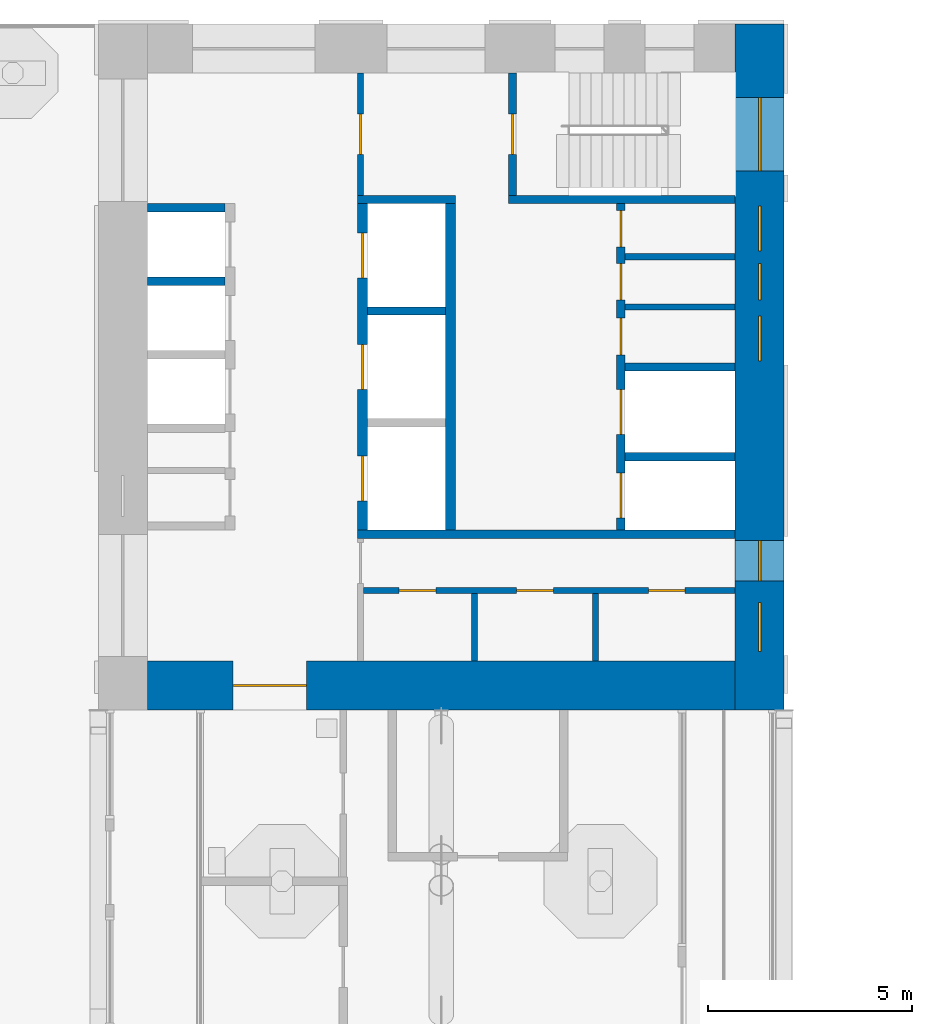
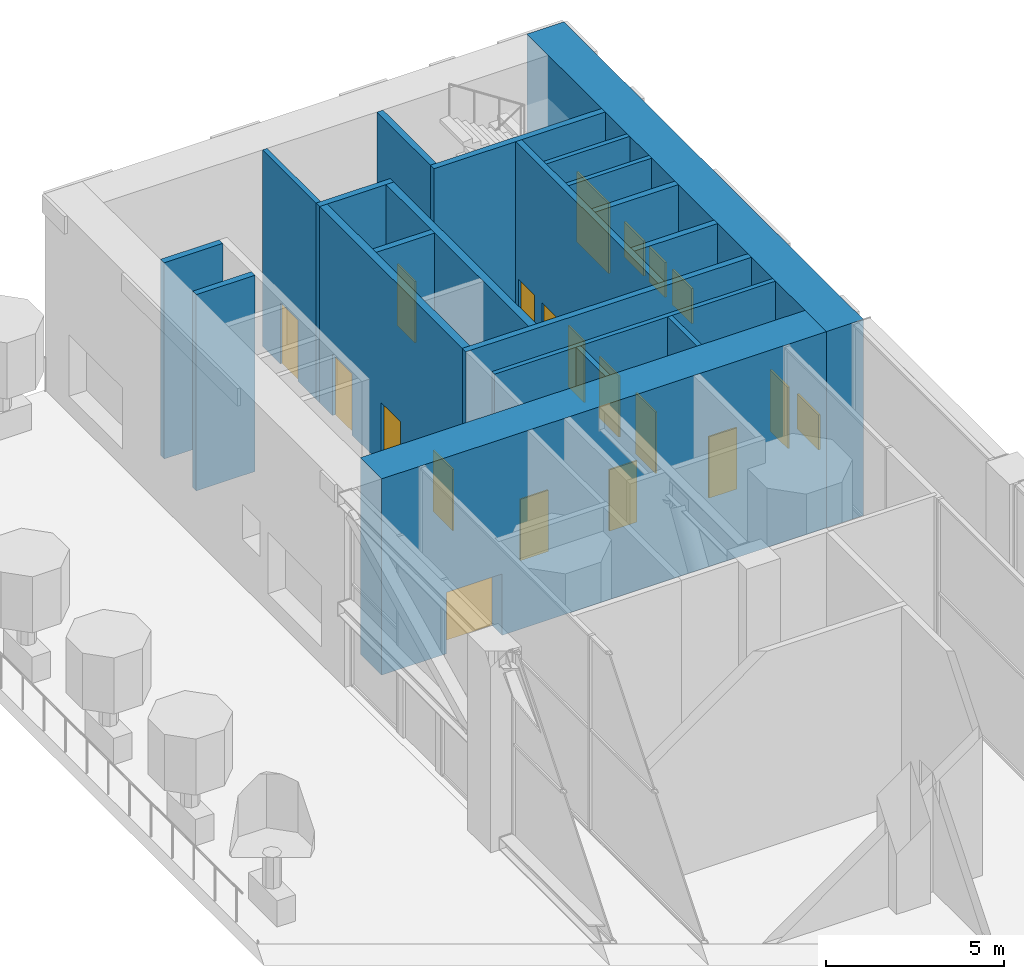
# One storey, part 12 of 22: 20 walls, 14 doors, 6 windows, 20 openings.
"""IFC4 building model written with IfcOpenShell, lengths in metres."""

from ifc_helpers import new_model, si_unit, direction, frame, frame_2d, origin, place, context, subcontext, project, spatial, rectangle, extrude, material, layer, layer_set, type_object, element, fill, save


model = new_model("IFC4")

# Units and contexts
model_context = context("Model", 3, precision=1e-05, world=origin(), true_north=direction((0.0, 1.0)))
body_context = subcontext(model_context, "Body", "Model", "MODEL_VIEW")
ifc_project = project(units=[si_unit("LENGTHUNIT", "METRE"), si_unit("AREAUNIT", "SQUARE_METRE"), si_unit("VOLUMEUNIT", "CUBIC_METRE"), si_unit("PLANEANGLEUNIT", "RADIAN"), si_unit("MASSUNIT", "GRAM", prefix="KILO")], contexts=[model_context])

# Site, building, storey
site_placement = place(None, origin())
site = spatial("IfcSite", under=ifc_project, at=site_placement, CompositionType="ELEMENT")
building_placement = place(site_placement, origin())
building = spatial("IfcBuilding", under=site, at=building_placement, Name="Vermilion Gate Residences", CompositionType="ELEMENT")
storey_placement = place(building_placement, frame((0.0, 0.0, 140.699951171875)))
storey = spatial("IfcBuildingStorey", under=building, at=storey_placement, Name="L36", CompositionType="ELEMENT", Elevation=140.699951171875)

# Walls
ifc_material_1 = material(Name="Masonry blockwork", Category="masonry")
ifc_layer_1 = layer(ifc_material_1, 0.14990234375)
ifc_layer_set_1 = layer_set([ifc_layer_1], Name="BLOCKWORK PARTITION 150 EI 120")
wall_type_1 = type_object("IfcWallType", Name="BLOCKWORK PARTITION 150 EI 120", PredefinedType="PARTITIONING", material=ifc_layer_set_1)
for number, where, z_axis, x_axis, name in (
    (1, (21.300048828125, 53.10107421875, 0.0), (0.0, 0.0, 1.0), (1.0, 0.0, 0.0), "Core room partition B36-NR-P0"),
    (2, (21.300048828125, 51.87109375, 0.0), (0.0, 0.0, 1.0), (1.0, 0.0, 0.0), "Core room partition B36-NR-P1"),
):
    element("IfcWall", number, at=place(storey_placement, frame(where, z_axis=z_axis, x_axis=x_axis)), inside=storey, type_object=wall_type_1, Name=name, PredefinedType="PARTITIONING", context=body_context, shape_type="SweptSolid", body=[
        extrude(rectangle(XDim=2.699951171875, YDim=0.14990234375, at=frame_2d((1.35009765625, 0.0))), origin(), (0.0, 0.0, 1.0), 6.719970703125),
    ])

# Wall, opening, door
wall_1_placement = place(storey_placement, frame((14.824951171875, 57.60009765625, 0.0), z_axis=(0.0, 0.0, 1.0), x_axis=(0.0, -1.0, 0.0)))
wall_1 = element("IfcWall", 3, at=wall_1_placement, inside=storey, type_object=wall_type_1, Name="Core room partition B36-VW-S", PredefinedType="PARTITIONING", context=body_context, shape_type="SweptSolid", body=[
    extrude(rectangle(XDim=3.0, YDim=0.14990234375, at=frame_2d((1.5, 0.0))), origin(), (0.0, 0.0, 1.0), 6.719970703125),
])
opening_1_placement = place(wall_1_placement, frame((1.0, 0.0, 0.0)))
opening_1 = element("IfcOpeningElement", 4, at=opening_1_placement, cuts=wall_1, Name="Opening DK36115", PredefinedType="OPENING", context=body_context, shape_type="SweptSolid", body=[
    extrude(rectangle(XDim=1.0, YDim=2.10009765625, at=frame_2d((0.5, 1.050048828125))), frame((0.0, 0.0849609375, 0.0), z_axis=(0.0, -1.0, 0.0), x_axis=(1.0, 0.0, 0.0)), (0.0, 0.0, 1.0), 0.169921875),
])
ifc_material_2 = material(Name="Steel", Category="steel")
door_type_1 = type_object("IfcDoorType", Name="FIRE DOOR FD60 1000 X 2100", OperationType="SINGLE_SWING_LEFT", PredefinedType="DOOR", material=ifc_material_2)
door_1_placement = place(opening_1_placement, frame((1.0, 0.0, 0.0), z_axis=(0.0, 0.0, 1.0), x_axis=(-1.0, 0.0, 0.0)))
door_1 = element("IfcDoor", 5, at=door_1_placement, inside=storey, type_object=door_type_1, Name="Stair vestibule door B36", OperationType="SINGLE_SWING_RIGHT", OverallHeight=2.10009765625, OverallWidth=1.0, PredefinedType="DOOR", context=body_context, shape_type="SweptSolid", body=[
    extrude(rectangle(XDim=1.0, YDim=2.10009765625, at=frame_2d((0.5, 1.050048828125))), frame((0.0, 0.02490234375, 0.0), z_axis=(0.0, -1.0, 0.0), x_axis=(1.0, 0.0, 0.0)), (0.0, 0.0, 1.0), 0.050048828125),
])
fill(opening_1, door_1)

# Walls
for number, where, z_axis, x_axis, name in (
    (6, (17.614990234375, 44.85009765625, 0.0), (0.0, 0.0, 1.0), (0.0, -1.0, 0.0), "Core room partition B36-ES-P0"),
    (7, (20.5810546875, 44.85009765625, 0.0), (0.0, 0.0, 1.0), (0.0, -1.0, 0.0), "Core room partition B36-ES-P1"),
):
    element("IfcWall", number, at=place(storey_placement, frame(where, z_axis=z_axis, x_axis=x_axis)), inside=storey, type_object=wall_type_1, Name=name, PredefinedType="PARTITIONING", context=body_context, shape_type="SweptSolid", body=[
        extrude(rectangle(XDim=1.650146484375, YDim=0.14990234375, at=frame_2d((0.8251953125, 0.0))), origin(), (0.0, 0.0, 1.0), 6.719970703125),
    ])

# Wall, openings, doors
wall_2_placement = place(storey_placement, frame((14.89990234375, 44.925048828125, 0.0), z_axis=(0.0, 0.0, 1.0), x_axis=(1.0, 0.0, 0.0)))
wall_2 = element("IfcWall", 8, at=wall_2_placement, inside=storey, type_object=wall_type_1, Name="Core room partition B36-ES-W", PredefinedType="PARTITIONING", context=body_context, shape_type="SweptSolid", body=[
    extrude(rectangle(XDim=9.10009765625, YDim=0.14990234375, at=frame_2d((4.550048828125, 0.0))), origin(), (0.0, 0.0, 1.0), 6.719970703125),
])
opening_2_placement = place(wall_2_placement, frame((0.8701171875, 0.0, 0.0)))
opening_2 = element("IfcOpeningElement", 9, at=opening_2_placement, cuts=wall_2, Name="Opening DK36118", PredefinedType="OPENING", context=body_context, shape_type="SweptSolid", body=[
    extrude(rectangle(XDim=0.89990234375, YDim=2.10009765625, at=frame_2d((0.449951171875, 1.050048828125))), frame((0.0, 0.0849609375, 0.0), z_axis=(0.0, -1.0, 0.0), x_axis=(1.0, 0.0, 0.0)), (0.0, 0.0, 1.0), 0.169921875),
])
opening_3_placement = place(wall_2_placement, frame((3.748046875, 0.0, 0.0)))
opening_3 = element("IfcOpeningElement", 10, at=opening_3_placement, cuts=wall_2, Name="Opening DK36119", PredefinedType="OPENING", context=body_context, shape_type="SweptSolid", body=[
    extrude(rectangle(XDim=0.89990234375, YDim=2.10009765625, at=frame_2d((0.449951171875, 1.050048828125))), frame((0.0, 0.0849609375, 0.0), z_axis=(0.0, -1.0, 0.0), x_axis=(1.0, 0.0, 0.0)), (0.0, 0.0, 1.0), 0.169921875),
])
opening_4_placement = place(wall_2_placement, frame((6.97802734375, 0.0, 0.0)))
opening_4 = element("IfcOpeningElement", 11, at=opening_4_placement, cuts=wall_2, Name="Opening DK36120", PredefinedType="OPENING", context=body_context, shape_type="SweptSolid", body=[
    extrude(rectangle(XDim=0.89990234375, YDim=2.10009765625, at=frame_2d((0.449951171875, 1.050048828125))), frame((0.0, 0.0849609375, 0.0), z_axis=(0.0, -1.0, 0.0), x_axis=(1.0, 0.0, 0.0)), (0.0, 0.0, 1.0), 0.169921875),
])
ifc_material_3 = material(Name="Steel", Category="steel")
door_type_2 = type_object("IfcDoorType", Name="SERVICE ROOM DOOR FD60 900 X 2100", OperationType="SINGLE_SWING_LEFT", PredefinedType="DOOR", material=ifc_material_3)
door_2_placement = place(opening_2_placement, frame((0.89990234375, 0.0, 0.0), z_axis=(0.0, 0.0, 1.0), x_axis=(-1.0, 0.0, 0.0)))
door_2 = element("IfcDoor", 12, at=door_2_placement, inside=storey, type_object=door_type_2, Name="Water tank room B36", OperationType="SINGLE_SWING_LEFT", OverallHeight=2.10009765625, OverallWidth=0.89990234375, PredefinedType="DOOR", context=body_context, shape_type="SweptSolid", body=[
    extrude(rectangle(XDim=0.89990234375, YDim=2.10009765625, at=frame_2d((0.449951171875, 1.050048828125))), frame((0.0, 0.02490234375, 0.0), z_axis=(0.0, -1.0, 0.0), x_axis=(1.0, 0.0, 0.0)), (0.0, 0.0, 1.0), 0.050048828125),
])
fill(opening_2, door_2)
door_3_placement = place(opening_3_placement, frame((0.89990234375, 0.0, 0.0), z_axis=(0.0, 0.0, 1.0), x_axis=(-1.0, 0.0, 0.0)))
door_3 = element("IfcDoor", 13, at=door_3_placement, inside=storey, type_object=door_type_2, Name="Chiller plant room B36", OperationType="SINGLE_SWING_LEFT", OverallHeight=2.10009765625, OverallWidth=0.89990234375, PredefinedType="DOOR", context=body_context, shape_type="SweptSolid", body=[
    extrude(rectangle(XDim=0.89990234375, YDim=2.10009765625, at=frame_2d((0.449951171875, 1.050048828125))), frame((0.0, 0.02490234375, 0.0), z_axis=(0.0, -1.0, 0.0), x_axis=(1.0, 0.0, 0.0)), (0.0, 0.0, 1.0), 0.050048828125),
])
fill(opening_3, door_3)
door_4_placement = place(opening_4_placement, frame((0.89990234375, 0.0, 0.0), z_axis=(0.0, 0.0, 1.0), x_axis=(-1.0, 0.0, 0.0)))
door_4 = element("IfcDoor", 14, at=door_4_placement, inside=storey, type_object=door_type_2, Name="Mechanical plant room B36", OperationType="SINGLE_SWING_RIGHT", OverallHeight=2.10009765625, OverallWidth=0.89990234375, PredefinedType="DOOR", context=body_context, shape_type="SweptSolid", body=[
    extrude(rectangle(XDim=0.89990234375, YDim=2.10009765625, at=frame_2d((0.449951171875, 1.050048828125))), frame((0.0, 0.02490234375, 0.0), z_axis=(0.0, -1.0, 0.0), x_axis=(1.0, 0.0, 0.0)), (0.0, 0.0, 1.0), 0.050048828125),
])
fill(opening_4, door_4)

# Walls
ifc_material_4 = material(Name="Concrete C60", Category="concrete")
ifc_layer_2 = layer(ifc_material_4, 0.199951171875)
ifc_layer_set_2 = layer_set([ifc_layer_2], Name="RC CORE INTERNAL WALL 200 C60")
wall_type_2 = type_object("IfcWallType", Name="RC CORE INTERNAL WALL 200 C60", PredefinedType="SHEAR", material=ifc_layer_set_2)
for number, where, z_axis, x_axis, name in (
    (15, (9.60009765625, 54.300048828125, 0.0), (0.0, 0.0, 1.0), (1.0, 0.0, 0.0), "Core internal wall B36-LR-D0"),
    (16, (9.60009765625, 52.5, 0.0), (0.0, 0.0, 1.0), (1.0, 0.0, 0.0), "Core internal wall B36-LR-D1"),
    (17, (15.0, 51.7666015625, 0.0), (0.0, 0.0, 1.0), (1.0, 0.0, 0.0), "Core internal wall B36-HR-D1"),
):
    element("IfcWall", number, at=place(storey_placement, frame(where, z_axis=z_axis, x_axis=x_axis)), inside=storey, type_object=wall_type_2, Name=name, PredefinedType="SHEAR", context=body_context, shape_type="SweptSolid", body=[
        extrude(rectangle(XDim=1.89990234375, YDim=0.199951171875, at=frame_2d((0.949951171875, 0.0))), origin(), (0.0, 0.0, 1.0), 6.719970703125),
    ])
for number, where, z_axis, x_axis, name in (
    (18, (21.300048828125, 50.39990234375, 0.0), (0.0, 0.0, 1.0), (1.0, 0.0, 0.0), "Core internal wall B36-FF-D0"),
    (19, (21.300048828125, 48.199951171875, 0.0), (0.0, 0.0, 1.0), (1.0, 0.0, 0.0), "Core internal wall B36-FF-D1"),
):
    element("IfcWall", number, at=place(storey_placement, frame(where, z_axis=z_axis, x_axis=x_axis)), inside=storey, type_object=wall_type_2, Name=name, PredefinedType="SHEAR", context=body_context, shape_type="SweptSolid", body=[
        extrude(rectangle(XDim=2.699951171875, YDim=0.199951171875, at=frame_2d((1.35009765625, 0.0))), origin(), (0.0, 0.0, 1.0), 6.719970703125),
    ])

# Wall, openings, doors
wall_3_placement = place(storey_placement, frame((21.199951171875, 54.39990234375, 0.0), z_axis=(0.0, 0.0, 1.0), x_axis=(0.0, -1.0, 0.0)))
wall_3 = element("IfcWall", 20, at=wall_3_placement, inside=storey, type_object=wall_type_2, Name="Core internal wall B36-FF-F", PredefinedType="SHEAR", context=body_context, shape_type="SweptSolid", body=[
    extrude(rectangle(XDim=8.0, YDim=0.199951171875, at=frame_2d((4.0, 0.0))), origin(), (0.0, 0.0, 1.0), 6.719970703125),
])
opening_5_placement = place(wall_3_placement, frame((0.162109375, 0.0, 0.0)))
opening_5 = element("IfcOpeningElement", 21, at=opening_5_placement, cuts=wall_3, Name="Opening DK36110", PredefinedType="OPENING", context=body_context, shape_type="SweptSolid", body=[
    extrude(rectangle(XDim=0.89990234375, YDim=2.10009765625, at=frame_2d((0.449951171875, 1.050048828125))), frame((0.0, 0.10986328125, 0.0), z_axis=(0.0, -1.0, 0.0), x_axis=(1.0, 0.0, 0.0)), (0.0, 0.0, 1.0), 0.219970703125),
])
opening_6_placement = place(wall_3_placement, frame((1.464111328125, 0.0, 0.0)))
opening_6 = element("IfcOpeningElement", 22, at=opening_6_placement, cuts=wall_3, Name="Opening DK36111", PredefinedType="OPENING", context=body_context, shape_type="SweptSolid", body=[
    extrude(rectangle(XDim=0.89990234375, YDim=2.10009765625, at=frame_2d((0.449951171875, 1.050048828125))), frame((0.0, 0.10986328125, 0.0), z_axis=(0.0, -1.0, 0.0), x_axis=(1.0, 0.0, 0.0)), (0.0, 0.0, 1.0), 0.219970703125),
])
opening_7_placement = place(wall_3_placement, frame((2.802001953125, 0.0, 0.0)))
opening_7 = element("IfcOpeningElement", 23, at=opening_7_placement, cuts=wall_3, Name="Opening DK36112", PredefinedType="OPENING", context=body_context, shape_type="SweptSolid", body=[
    extrude(rectangle(XDim=0.89990234375, YDim=2.10009765625, at=frame_2d((0.449951171875, 1.050048828125))), frame((0.0, 0.10986328125, 0.0), z_axis=(0.0, -1.0, 0.0), x_axis=(1.0, 0.0, 0.0)), (0.0, 0.0, 1.0), 0.219970703125),
])
opening_8_placement = place(wall_3_placement, frame((4.550048828125, 0.0, 0.0)))
opening_8 = element("IfcOpeningElement", 24, at=opening_8_placement, cuts=wall_3, Name="Opening LD", PredefinedType="OPENING", context=body_context, shape_type="SweptSolid", body=[
    extrude(rectangle(XDim=1.10009765625, YDim=2.10009765625, at=frame_2d((0.550048828125, 1.050048828125))), frame((0.0, 0.10986328125, 0.0), z_axis=(0.0, -1.0, 0.0), x_axis=(1.0, 0.0, 0.0)), (0.0, 0.0, 1.0), 0.219970703125),
])
opening_9_placement = place(wall_3_placement, frame((6.60009765625, 0.0, 0.0)))
opening_9 = element("IfcOpeningElement", 25, at=opening_9_placement, cuts=wall_3, Name="Opening LD", PredefinedType="OPENING", context=body_context, shape_type="SweptSolid", body=[
    extrude(rectangle(XDim=1.10009765625, YDim=2.10009765625, at=frame_2d((0.550048828125, 1.050048828125))), frame((0.0, 0.10986328125, 0.0), z_axis=(0.0, -1.0, 0.0), x_axis=(1.0, 0.0, 0.0)), (0.0, 0.0, 1.0), 0.219970703125),
])
ifc_material_5 = material(Name="Stainless steel", Category="steel")
door_type_3 = type_object("IfcDoorType", Name="LIFT LANDING DOOR E60 1100 X 2100", OperationType="DOUBLE_DOOR_SLIDING", PredefinedType="DOOR", material=ifc_material_5)
door_5_placement = place(opening_8_placement, origin())
door_5 = element("IfcDoor", 26, at=door_5_placement, inside=storey, type_object=door_type_3, Name="Lift landing door LFB1", OperationType="DOUBLE_DOOR_SLIDING", OverallHeight=2.10009765625, OverallWidth=1.10009765625, PredefinedType="DOOR", context=body_context, shape_type="SweptSolid", body=[
    extrude(rectangle(XDim=1.10009765625, YDim=2.10009765625, at=frame_2d((0.550048828125, 1.050048828125))), frame((0.0, 0.02490234375, 0.0), z_axis=(0.0, -1.0, 0.0), x_axis=(1.0, 0.0, 0.0)), (0.0, 0.0, 1.0), 0.050048828125),
])
fill(opening_8, door_5)
door_6_placement = place(opening_9_placement, origin())
door_6 = element("IfcDoor", 27, at=door_6_placement, inside=storey, type_object=door_type_3, Name="Lift landing door LCB1", OperationType="DOUBLE_DOOR_SLIDING", OverallHeight=2.10009765625, OverallWidth=1.10009765625, PredefinedType="DOOR", context=body_context, shape_type="SweptSolid", body=[
    extrude(rectangle(XDim=1.10009765625, YDim=2.10009765625, at=frame_2d((0.550048828125, 1.050048828125))), frame((0.0, 0.02490234375, 0.0), z_axis=(0.0, -1.0, 0.0), x_axis=(1.0, 0.0, 0.0)), (0.0, 0.0, 1.0), 0.050048828125),
])
fill(opening_9, door_6)
door_7_placement = place(opening_5_placement, frame((0.89990234375, 0.0, 0.0), z_axis=(0.0, 0.0, 1.0), x_axis=(-1.0, 0.0, 0.0)))
door_7 = element("IfcDoor", 28, at=door_7_placement, inside=storey, type_object=door_type_2, Name="Mechanical plant room B36", OperationType="SINGLE_SWING_RIGHT", OverallHeight=2.10009765625, OverallWidth=0.89990234375, PredefinedType="DOOR", context=body_context, shape_type="SweptSolid", body=[
    extrude(rectangle(XDim=0.89990234375, YDim=2.10009765625, at=frame_2d((0.449951171875, 1.050048828125))), frame((0.0, 0.02490234375, 0.0), z_axis=(0.0, -1.0, 0.0), x_axis=(1.0, 0.0, 0.0)), (0.0, 0.0, 1.0), 0.050048828125),
])
fill(opening_5, door_7)
door_8_placement = place(opening_6_placement, frame((0.89990234375, 0.0, 0.0), z_axis=(0.0, 0.0, 1.0), x_axis=(-1.0, 0.0, 0.0)))
door_8 = element("IfcDoor", 29, at=door_8_placement, inside=storey, type_object=door_type_2, Name="Smoke extract plant room B36", OperationType="SINGLE_SWING_RIGHT", OverallHeight=2.10009765625, OverallWidth=0.89990234375, PredefinedType="DOOR", context=body_context, shape_type="SweptSolid", body=[
    extrude(rectangle(XDim=0.89990234375, YDim=2.10009765625, at=frame_2d((0.449951171875, 1.050048828125))), frame((0.0, 0.02490234375, 0.0), z_axis=(0.0, -1.0, 0.0), x_axis=(1.0, 0.0, 0.0)), (0.0, 0.0, 1.0), 0.050048828125),
])
fill(opening_6, door_8)
door_9_placement = place(opening_7_placement, frame((0.89990234375, 0.0, 0.0), z_axis=(0.0, 0.0, 1.0), x_axis=(-1.0, 0.0, 0.0)))
door_9 = element("IfcDoor", 30, at=door_9_placement, inside=storey, type_object=door_type_2, Name="Pressurisation fan plant room B36", OperationType="SINGLE_SWING_RIGHT", OverallHeight=2.10009765625, OverallWidth=0.89990234375, PredefinedType="DOOR", context=body_context, shape_type="SweptSolid", body=[
    extrude(rectangle(XDim=0.89990234375, YDim=2.10009765625, at=frame_2d((0.449951171875, 1.050048828125))), frame((0.0, 0.02490234375, 0.0), z_axis=(0.0, -1.0, 0.0), x_axis=(1.0, 0.0, 0.0)), (0.0, 0.0, 1.0), 0.050048828125),
])
fill(opening_7, door_9)

# Walls
wall_4_placement = place(storey_placement, frame((14.75, 54.5, 0.0), z_axis=(0.0, 0.0, 1.0), x_axis=(1.0, 0.0, 0.0)))
element("IfcWall", 31, at=wall_4_placement, inside=storey, type_object=wall_type_2, Name="Core internal wall B36-WDIV1", PredefinedType="SHEAR", context=body_context, shape_type="SweptSolid", body=[
    extrude(rectangle(XDim=2.39990234375, YDim=0.199951171875, at=frame_2d((1.199951171875, 0.0))), origin(), (0.0, 0.0, 1.0), 6.719970703125),
])
wall_5_placement = place(storey_placement, frame((18.449951171875, 54.5, 0.0), z_axis=(0.0, 0.0, 1.0), x_axis=(1.0, 0.0, 0.0)))
element("IfcWall", 32, at=wall_5_placement, inside=storey, type_object=wall_type_2, Name="Core internal wall B36-WDIV2", PredefinedType="SHEAR", context=body_context, shape_type="SweptSolid", body=[
    extrude(rectangle(XDim=5.550048828125, YDim=0.199951171875, at=frame_2d((2.77490234375, 0.0))), origin(), (0.0, 0.0, 1.0), 6.719970703125),
])

# Wall, opening, door
wall_6_placement = place(storey_placement, frame((18.550048828125, 57.60009765625, 0.0), z_axis=(0.0, 0.0, 1.0), x_axis=(0.0, -1.0, 0.0)))
wall_6 = element("IfcWall", 33, at=wall_6_placement, inside=storey, type_object=wall_type_2, Name="Core internal wall B36-STW-S", PredefinedType="SHEAR", context=body_context, shape_type="SweptSolid", body=[
    extrude(rectangle(XDim=3.0, YDim=0.199951171875, at=frame_2d((1.5, 0.0))), origin(), (0.0, 0.0, 1.0), 6.719970703125),
])
opening_10_placement = place(wall_6_placement, frame((1.0, 0.0, 0.0)))
opening_10 = element("IfcOpeningElement", 34, at=opening_10_placement, cuts=wall_6, Name="Opening DK36116", PredefinedType="OPENING", context=body_context, shape_type="SweptSolid", body=[
    extrude(rectangle(XDim=1.0, YDim=2.10009765625, at=frame_2d((0.5, 1.050048828125))), frame((0.0, 0.10986328125, 0.0), z_axis=(0.0, -1.0, 0.0), x_axis=(1.0, 0.0, 0.0)), (0.0, 0.0, 1.0), 0.219970703125),
])
door_10_placement = place(opening_10_placement, origin())
door_10 = element("IfcDoor", 35, at=door_10_placement, inside=storey, type_object=door_type_1, Name="Stair door B36", OperationType="SINGLE_SWING_LEFT", OverallHeight=2.10009765625, OverallWidth=1.0, PredefinedType="DOOR", context=body_context, shape_type="SweptSolid", body=[
    extrude(rectangle(XDim=1.0, YDim=2.10009765625, at=frame_2d((0.5, 1.050048828125))), frame((0.0, 0.02490234375, 0.0), z_axis=(0.0, -1.0, 0.0), x_axis=(1.0, 0.0, 0.0)), (0.0, 0.0, 1.0), 0.050048828125),
])
fill(opening_10, door_10)

# Wall
wall_7_placement = place(storey_placement, frame((14.75, 46.300048828125, 0.0), z_axis=(0.0, 0.0, 1.0), x_axis=(1.0, 0.0, 0.0)))
element("IfcWall", 36, at=wall_7_placement, inside=storey, type_object=wall_type_2, Name="Core internal wall B36-EDIV", PredefinedType="SHEAR", context=body_context, shape_type="SweptSolid", body=[
    extrude(rectangle(XDim=9.25, YDim=0.199951171875, at=frame_2d((4.625, 0.0))), origin(), (0.0, 0.0, 1.0), 6.719970703125),
])

# Wall, opening, door
ifc_material_6 = material(Name="Concrete C70", Category="concrete")
ifc_layer_3 = layer(ifc_material_6, 1.199951171875)
ifc_layer_set_3 = layer_set([ifc_layer_3], Name="RC CORE WALL 1200 C70")
wall_type_3 = type_object("IfcWallType", Name="RC CORE WALL 1200 C70", PredefinedType="SHEAR", material=ifc_layer_set_3)
wall_8_placement = place(storey_placement, frame((9.60009765625, 42.60009765625, 0.0), z_axis=(0.0, 0.0, 1.0), x_axis=(1.0, 0.0, 0.0)))
wall_8 = element("IfcWall", 37, at=wall_8_placement, inside=storey, type_object=wall_type_3, Name="Core wall B36-OUT-BK", PredefinedType="SHEAR", context=body_context, shape_type="SweptSolid", body=[
    extrude(rectangle(XDim=14.39990234375, YDim=1.199951171875, at=frame_2d((7.199951171875, 0.0))), origin(), (0.0, 0.0, 1.0), 6.719970703125),
])
opening_11_placement = place(wall_8_placement, frame((2.10009765625, 0.0, 0.0)))
opening_11 = element("IfcOpeningElement", 38, at=opening_11_placement, cuts=wall_8, Name="Opening DK36101", PredefinedType="OPENING", context=body_context, shape_type="SweptSolid", body=[
    extrude(rectangle(XDim=1.800048828125, YDim=2.10009765625, at=frame_2d((0.89990234375, 1.050048828125))), frame((0.0, 0.60986328125, 0.0), z_axis=(0.0, -1.0, 0.0), x_axis=(1.0, 0.0, 0.0)), (0.0, 0.0, 1.0), 1.219970703125),
])
ifc_material_7 = material(Name="Steel", Category="steel")
door_type_4 = type_object("IfcDoorType", Name="CORE LOBBY DOOR FD60 1800 X 2100", OperationType="DOUBLE_DOOR_SINGLE_SWING", PredefinedType="DOOR", material=ifc_material_7)
door_11_placement = place(opening_11_placement, frame((1.800048828125, 0.0, 0.0), z_axis=(0.0, 0.0, 1.0), x_axis=(-1.0, 0.0, 0.0)))
door_11 = element("IfcDoor", 39, at=door_11_placement, inside=storey, type_object=door_type_4, Name="Core lobby door B36", OperationType="DOUBLE_DOOR_SINGLE_SWING", OverallHeight=2.10009765625, OverallWidth=1.800048828125, PredefinedType="DOOR", context=body_context, shape_type="SweptSolid", body=[
    extrude(rectangle(XDim=1.800048828125, YDim=2.10009765625, at=frame_2d((0.89990234375, 1.050048828125))), frame((0.0, 0.02490234375, 0.0), z_axis=(0.0, -1.0, 0.0), x_axis=(1.0, 0.0, 0.0)), (0.0, 0.0, 1.0), 0.050048828125),
])
fill(opening_11, door_11)

# Wall, openings, windows
ifc_material_8 = material(Name="Concrete C70 red-oxide pigmented", Category="concrete")
ifc_layer_4 = layer(ifc_material_8, 1.199951171875)
ifc_layer_set_4 = layer_set([ifc_layer_4], Name="RC CORE WALL 1200 C70 RED OXIDE")
wall_type_4 = type_object("IfcWallType", Name="RC CORE WALL 1200 C70 RED OXIDE", PredefinedType="SHEAR", material=ifc_layer_set_4)
wall_9_placement = place(storey_placement, frame((24.60009765625, 58.800048828125, 0.0), z_axis=(0.0, 0.0, 1.0), x_axis=(0.0, -1.0, 0.0)))
wall_9 = element("IfcWall", 40, at=wall_9_placement, inside=storey, type_object=wall_type_4, Name="Core wall B36-OUT-B1", PredefinedType="SHEAR", context=body_context, shape_type="SweptSolid", body=[
    extrude(rectangle(XDim=16.800048828125, YDim=1.199951171875, at=frame_2d((8.39990234375, 0.0))), origin(), (0.0, 0.0, 1.0), 6.719970703125),
])
opening_12_placement = place(wall_9_placement, frame((1.800048828125, 0.0, 0.5)))
opening_12 = element("IfcOpeningElement", 41, at=opening_12_placement, cuts=wall_9, Name="Opening WKB3604", PredefinedType="OPENING", context=body_context, shape_type="SweptSolid", body=[
    extrude(rectangle(XDim=1.800048828125, YDim=2.39990234375, at=frame_2d((0.89990234375, 1.199951171875))), frame((0.0, 0.60986328125, 0.0), z_axis=(0.0, -1.0, 0.0), x_axis=(1.0, 0.0, 0.0)), (0.0, 0.0, 1.0), 1.219970703125),
])
opening_13_placement = place(wall_9_placement, frame((4.4619140625, 0.0, 1.60009765625)))
opening_13 = element("IfcOpeningElement", 42, at=opening_13_placement, cuts=wall_9, Name="Opening WKB3605", PredefinedType="OPENING", context=body_context, shape_type="SweptSolid", body=[
    extrude(rectangle(XDim=1.10009765625, YDim=1.199951171875, at=frame_2d((0.550048828125, 0.60009765625))), frame((0.0, 0.60986328125, 0.0), z_axis=(0.0, -1.0, 0.0), x_axis=(1.0, 0.0, 0.0)), (0.0, 0.0, 1.0), 1.219970703125),
])
opening_14_placement = place(wall_9_placement, frame((5.864013671875, 0.0, 1.60009765625)))
opening_14 = element("IfcOpeningElement", 43, at=opening_14_placement, cuts=wall_9, Name="Opening WKB3606", PredefinedType="OPENING", context=body_context, shape_type="SweptSolid", body=[
    extrude(rectangle(XDim=0.89990234375, YDim=1.199951171875, at=frame_2d((0.449951171875, 0.60009765625))), frame((0.0, 0.60986328125, 0.0), z_axis=(0.0, -1.0, 0.0), x_axis=(1.0, 0.0, 0.0)), (0.0, 0.0, 1.0), 1.219970703125),
])
opening_15_placement = place(wall_9_placement, frame((7.14990234375, 0.0, 1.60009765625)))
opening_15 = element("IfcOpeningElement", 44, at=opening_15_placement, cuts=wall_9, Name="Opening WKB3607", PredefinedType="OPENING", context=body_context, shape_type="SweptSolid", body=[
    extrude(rectangle(XDim=1.10009765625, YDim=1.199951171875, at=frame_2d((0.550048828125, 0.60009765625))), frame((0.0, 0.60986328125, 0.0), z_axis=(0.0, -1.0, 0.0), x_axis=(1.0, 0.0, 0.0)), (0.0, 0.0, 1.0), 1.219970703125),
])
opening_16_placement = place(wall_9_placement, frame((12.64990234375, 0.0, 0.60009765625)))
opening_16 = element("IfcOpeningElement", 45, at=opening_16_placement, cuts=wall_9, Name="Opening WKB3608", PredefinedType="OPENING", context=body_context, shape_type="SweptSolid", body=[
    extrude(rectangle(XDim=1.0, YDim=2.10009765625, at=frame_2d((0.5, 1.050048828125))), frame((0.0, 0.60986328125, 0.0), z_axis=(0.0, -1.0, 0.0), x_axis=(1.0, 0.0, 0.0)), (0.0, 0.0, 1.0), 1.219970703125),
])
opening_17_placement = place(wall_9_placement, frame((14.175048828125, 0.0, 1.60009765625)))
opening_17 = element("IfcOpeningElement", 46, at=opening_17_placement, cuts=wall_9, Name="Opening WKB3609", PredefinedType="OPENING", context=body_context, shape_type="SweptSolid", body=[
    extrude(rectangle(XDim=1.199951171875, YDim=1.199951171875, at=frame_2d((0.60009765625, 0.60009765625))), frame((0.0, 0.60986328125, 0.0), z_axis=(0.0, -1.0, 0.0), x_axis=(1.0, 0.0, 0.0)), (0.0, 0.0, 1.0), 1.219970703125),
])
ifc_material_9 = material(Name="Aluminium and clear glass", Category="aluminium")
window_type_1 = type_object("IfcWindowType", Name="CORE CORRIDOR WINDOW 1000 X 2100", PartitioningType="SINGLE_PANEL", PredefinedType="WINDOW", material=ifc_material_9)
window_1_placement = place(opening_16_placement, origin())
window_1 = element("IfcWindow", 47, at=window_1_placement, inside=storey, type_object=window_type_1, Name="Core corridor window", OverallHeight=2.10009765625, OverallWidth=1.0, PartitioningType="SINGLE_PANEL", PredefinedType="WINDOW", context=body_context, shape_type="SweptSolid", body=[
    extrude(rectangle(XDim=1.0, YDim=2.10009765625, at=frame_2d((0.5, 1.050048828125))), frame((0.0, 0.030029296875, 0.0), z_axis=(0.0, -1.0, 0.0), x_axis=(1.0, 0.0, 0.0)), (0.0, 0.0, 1.0), 0.06005859375),
])
fill(opening_16, window_1)
ifc_material_10 = material(Name="Aluminium frame with louvre blades", Category="aluminium")
window_type_2 = type_object("IfcWindowType", Name="CORE LOUVRE 1100 X 1200", PartitioningType="SINGLE_PANEL", PredefinedType="WINDOW", material=ifc_material_10)
window_2_placement = place(opening_13_placement, origin())
window_2 = element("IfcWindow", 48, at=window_2_placement, inside=storey, type_object=window_type_2, Name="Core louvre", OverallHeight=1.199951171875, OverallWidth=1.10009765625, PartitioningType="SINGLE_PANEL", PredefinedType="WINDOW", context=body_context, shape_type="SweptSolid", body=[
    extrude(rectangle(XDim=1.10009765625, YDim=1.199951171875, at=frame_2d((0.550048828125, 0.60009765625))), frame((0.0, 0.030029296875, 0.0), z_axis=(0.0, -1.0, 0.0), x_axis=(1.0, 0.0, 0.0)), (0.0, 0.0, 1.0), 0.06005859375),
])
fill(opening_13, window_2)
window_3_placement = place(opening_15_placement, origin())
window_3 = element("IfcWindow", 49, at=window_3_placement, inside=storey, type_object=window_type_2, Name="Core louvre", OverallHeight=1.199951171875, OverallWidth=1.10009765625, PartitioningType="SINGLE_PANEL", PredefinedType="WINDOW", context=body_context, shape_type="SweptSolid", body=[
    extrude(rectangle(XDim=1.10009765625, YDim=1.199951171875, at=frame_2d((0.550048828125, 0.60009765625))), frame((0.0, 0.030029296875, 0.0), z_axis=(0.0, -1.0, 0.0), x_axis=(1.0, 0.0, 0.0)), (0.0, 0.0, 1.0), 0.06005859375),
])
fill(opening_15, window_3)
ifc_material_11 = material(Name="Aluminium frame with louvre blades", Category="aluminium")
window_type_3 = type_object("IfcWindowType", Name="CORE LOUVRE 1200 X 1200", PartitioningType="SINGLE_PANEL", PredefinedType="WINDOW", material=ifc_material_11)
window_4_placement = place(opening_17_placement, origin())
window_4 = element("IfcWindow", 50, at=window_4_placement, inside=storey, type_object=window_type_3, Name="Core louvre", OverallHeight=1.199951171875, OverallWidth=1.199951171875, PartitioningType="SINGLE_PANEL", PredefinedType="WINDOW", context=body_context, shape_type="SweptSolid", body=[
    extrude(rectangle(XDim=1.199951171875, YDim=1.199951171875, at=frame_2d((0.60009765625, 0.60009765625))), frame((0.0, 0.030029296875, 0.0), z_axis=(0.0, -1.0, 0.0), x_axis=(1.0, 0.0, 0.0)), (0.0, 0.0, 1.0), 0.06005859375),
])
fill(opening_17, window_4)
ifc_material_12 = material(Name="Aluminium frame with louvre blades", Category="aluminium")
window_type_4 = type_object("IfcWindowType", Name="CORE LOUVRE 900 X 1200", PartitioningType="SINGLE_PANEL", PredefinedType="WINDOW", material=ifc_material_12)
window_5_placement = place(opening_14_placement, origin())
window_5 = element("IfcWindow", 51, at=window_5_placement, inside=storey, type_object=window_type_4, Name="Core louvre", OverallHeight=1.199951171875, OverallWidth=0.89990234375, PartitioningType="SINGLE_PANEL", PredefinedType="WINDOW", context=body_context, shape_type="SweptSolid", body=[
    extrude(rectangle(XDim=0.89990234375, YDim=1.199951171875, at=frame_2d((0.449951171875, 0.60009765625))), frame((0.0, 0.030029296875, 0.0), z_axis=(0.0, -1.0, 0.0), x_axis=(1.0, 0.0, 0.0)), (0.0, 0.0, 1.0), 0.06005859375),
])
fill(opening_14, window_5)
ifc_material_13 = material(Name="Aluminium and clear glass", Category="aluminium")
window_type_5 = type_object("IfcWindowType", Name="CORE STAIR WINDOW 1800 X 2400", PartitioningType="SINGLE_PANEL", PredefinedType="WINDOW", material=ifc_material_13)
window_6_placement = place(opening_12_placement, origin())
window_6 = element("IfcWindow", 52, at=window_6_placement, inside=storey, type_object=window_type_5, Name="Core stair window", OverallHeight=2.39990234375, OverallWidth=1.800048828125, PartitioningType="SINGLE_PANEL", PredefinedType="WINDOW", context=body_context, shape_type="SweptSolid", body=[
    extrude(rectangle(XDim=1.800048828125, YDim=2.39990234375, at=frame_2d((0.89990234375, 1.199951171875))), frame((0.0, 0.030029296875, 0.0), z_axis=(0.0, -1.0, 0.0), x_axis=(1.0, 0.0, 0.0)), (0.0, 0.0, 1.0), 0.06005859375),
])
fill(opening_12, window_6)

# Wall, openings, doors
ifc_material_14 = material(Name="Concrete C60", Category="concrete")
ifc_layer_5 = layer(ifc_material_14, 0.25)
ifc_layer_set_5 = layer_set([ifc_layer_5], Name="RC LIFT SHAFT WALL 250 C60")
wall_type_5 = type_object("IfcWallType", Name="RC LIFT SHAFT WALL 250 C60", PredefinedType="SHEAR", material=ifc_layer_set_5)
wall_10_placement = place(storey_placement, frame((14.875, 54.39990234375, 0.0), z_axis=(0.0, 0.0, 1.0), x_axis=(0.0, -1.0, 0.0)))
wall_10 = element("IfcWall", 53, at=wall_10_placement, inside=storey, type_object=wall_type_5, Name="Lift shaft wall B36-HR-F", PredefinedType="SHEAR", context=body_context, shape_type="SweptSolid", body=[
    extrude(rectangle(XDim=8.0, YDim=0.25, at=frame_2d((4.0, 0.0))), origin(), (0.0, 0.0, 1.0), 6.719970703125),
])
opening_18_placement = place(wall_10_placement, frame((0.716552734375, 0.0, 0.0)))
opening_18 = element("IfcOpeningElement", 54, at=opening_18_placement, cuts=wall_10, Name="Opening LD", PredefinedType="OPENING", context=body_context, shape_type="SweptSolid", body=[
    extrude(rectangle(XDim=1.10009765625, YDim=2.10009765625, at=frame_2d((0.550048828125, 1.050048828125))), frame((0.0, 0.135009765625, 0.0), z_axis=(0.0, -1.0, 0.0), x_axis=(1.0, 0.0, 0.0)), (0.0, 0.0, 1.0), 0.27001953125),
])
opening_19_placement = place(wall_10_placement, frame((3.449951171875, 0.0, 0.0)))
opening_19 = element("IfcOpeningElement", 55, at=opening_19_placement, cuts=wall_10, Name="Opening LD", PredefinedType="OPENING", context=body_context, shape_type="SweptSolid", body=[
    extrude(rectangle(XDim=1.10009765625, YDim=2.10009765625, at=frame_2d((0.550048828125, 1.050048828125))), frame((0.0, 0.135009765625, 0.0), z_axis=(0.0, -1.0, 0.0), x_axis=(1.0, 0.0, 0.0)), (0.0, 0.0, 1.0), 0.27001953125),
])
opening_20_placement = place(wall_10_placement, frame((6.183349609375, 0.0, 0.0)))
opening_20 = element("IfcOpeningElement", 56, at=opening_20_placement, cuts=wall_10, Name="Opening LD", PredefinedType="OPENING", context=body_context, shape_type="SweptSolid", body=[
    extrude(rectangle(XDim=1.10009765625, YDim=2.10009765625, at=frame_2d((0.550048828125, 1.050048828125))), frame((0.0, 0.135009765625, 0.0), z_axis=(0.0, -1.0, 0.0), x_axis=(1.0, 0.0, 0.0)), (0.0, 0.0, 1.0), 0.27001953125),
])
door_12_placement = place(opening_18_placement, origin())
door_12 = element("IfcDoor", 57, at=door_12_placement, inside=storey, type_object=door_type_3, Name="Lift landing door HRB1", OperationType="DOUBLE_DOOR_SLIDING", OverallHeight=2.10009765625, OverallWidth=1.10009765625, PredefinedType="DOOR", context=body_context, shape_type="SweptSolid", body=[
    extrude(rectangle(XDim=1.10009765625, YDim=2.10009765625, at=frame_2d((0.550048828125, 1.050048828125))), frame((0.0, 0.02490234375, 0.0), z_axis=(0.0, -1.0, 0.0), x_axis=(1.0, 0.0, 0.0)), (0.0, 0.0, 1.0), 0.050048828125),
])
fill(opening_18, door_12)
door_13_placement = place(opening_19_placement, origin())
door_13 = element("IfcDoor", 58, at=door_13_placement, inside=storey, type_object=door_type_3, Name="Lift landing door HRB2", OperationType="DOUBLE_DOOR_SLIDING", OverallHeight=2.10009765625, OverallWidth=1.10009765625, PredefinedType="DOOR", context=body_context, shape_type="SweptSolid", body=[
    extrude(rectangle(XDim=1.10009765625, YDim=2.10009765625, at=frame_2d((0.550048828125, 1.050048828125))), frame((0.0, 0.02490234375, 0.0), z_axis=(0.0, -1.0, 0.0), x_axis=(1.0, 0.0, 0.0)), (0.0, 0.0, 1.0), 0.050048828125),
])
fill(opening_19, door_13)
door_14_placement = place(opening_20_placement, origin())
door_14 = element("IfcDoor", 59, at=door_14_placement, inside=storey, type_object=door_type_3, Name="Lift landing door HRB3", OperationType="DOUBLE_DOOR_SLIDING", OverallHeight=2.10009765625, OverallWidth=1.10009765625, PredefinedType="DOOR", context=body_context, shape_type="SweptSolid", body=[
    extrude(rectangle(XDim=1.10009765625, YDim=2.10009765625, at=frame_2d((0.550048828125, 1.050048828125))), frame((0.0, 0.02490234375, 0.0), z_axis=(0.0, -1.0, 0.0), x_axis=(1.0, 0.0, 0.0)), (0.0, 0.0, 1.0), 0.050048828125),
])
fill(opening_20, door_14)

# Wall
wall_11_placement = place(storey_placement, frame((17.02490234375, 54.39990234375, 0.0), z_axis=(0.0, 0.0, 1.0), x_axis=(0.0, -1.0, 0.0)))
element("IfcWall", 60, at=wall_11_placement, inside=storey, type_object=wall_type_5, Name="Lift shaft wall B36-HR-B", PredefinedType="SHEAR", context=body_context, shape_type="SweptSolid", body=[
    extrude(rectangle(XDim=8.0, YDim=0.25, at=frame_2d((4.0, 0.0))), origin(), (0.0, 0.0, 1.0), 6.719970703125),
])

save(model, "model.ifc")
